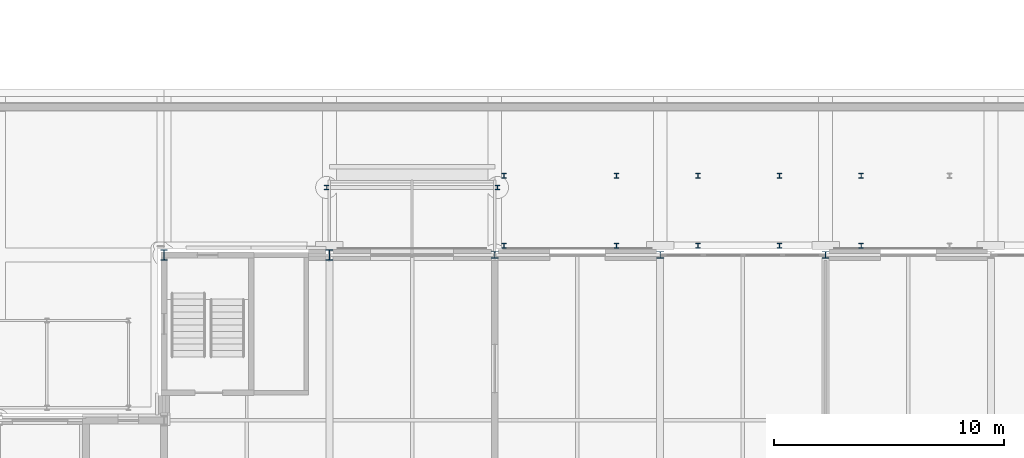
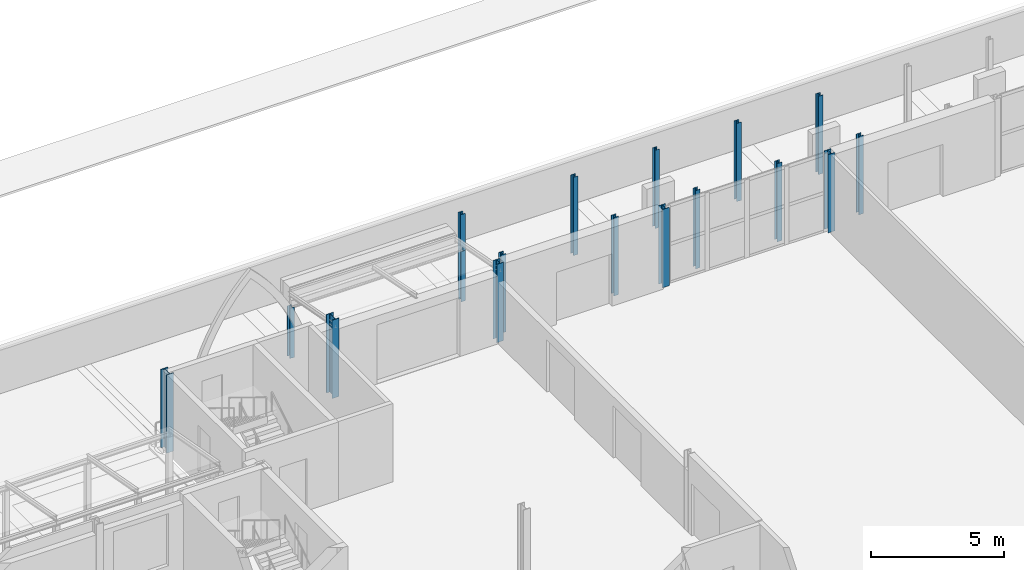
# One storey, part 27 of 143: 17 columns.
"""IFC4 building model written with IfcOpenShell, lengths in metres."""

import ifcopenshell
import ifcopenshell.guid

model = None  # the IFC model being written
_history = None  # IfcOwnerHistory: only IFC2X3 demands one
_inside = {}  # id of a spatial element -> (the spatial element, [elements in it])
_under = {}  # id of a project, library or spatial element -> (it, [spatial elements below it])
_declared = {}  # id of a project -> (the project, [libraries it declares])
_typed = {}  # id of a type object -> (the type object, [elements of that type])
_made_of = {}  # id of a material, layer set ... -> (it, [elements and type objects made of it])


def new_model(schema):
    """Start an empty IFC model of exactly this schema.

    Asked for "IFC4X3", IfcOpenShell would pick the latest addendum, in which some entities
    have other attributes; the version numbers below select the first issue.
    IFC2X3 requires an IfcOwnerHistory on every rooted entity: one is made here for all.
    """
    global model, _history
    if schema == "IFC4X3":
        model = ifcopenshell.file(schema_version=(4, 3, 0, 0))
    else:
        model = ifcopenshell.file(schema=schema)
    _inside.clear()
    _under.clear()
    _declared.clear()
    _typed.clear()
    _made_of.clear()
    _history = None
    if model.schema == "IFC2X3":
        org = make("IfcOrganization", Name="unknown")
        user = make(
            "IfcPersonAndOrganization",
            ThePerson=make("IfcPerson", FamilyName="unknown"),
            TheOrganization=org,
        )
        app = make(
            "IfcApplication",
            ApplicationDeveloper=org,
            Version="unknown",
            ApplicationFullName="unknown",
            ApplicationIdentifier="unknown",
        )
        _history = make(
            "IfcOwnerHistory",
            OwningUser=user,
            OwningApplication=app,
            ChangeAction="ADDED",
            CreationDate=0,
        )
    return model


def make(cls, **values):
    """One entity of the class cls with the attributes given. An attribute that is None is left unset."""
    return model.create_entity(
        cls, **{name: value for name, value in values.items() if value is not None}
    )


def rooted(cls, **values):
    """An entity with a GlobalId (a new one), such as an element, a storey or a relation."""
    return make(cls, GlobalId=ifcopenshell.guid.new(), OwnerHistory=_history, **values)


def si_unit(unit_type, name, prefix=None):
    """IfcSIUnit, for example si_unit("LENGTHUNIT", "METRE", prefix="MILLI")."""
    return make("IfcSIUnit", UnitType=unit_type, Prefix=prefix, Name=name)


def assignment(units):
    """IfcUnitAssignment: the units of a project."""
    return None if units is None else make("IfcUnitAssignment", Units=units)


def point(xyz):
    """IfcCartesianPoint."""
    return None if xyz is None else make("IfcCartesianPoint", Coordinates=xyz)


def direction(xyz):
    """IfcDirection."""
    return None if xyz is None else make("IfcDirection", DirectionRatios=xyz)


def frame(location, z_axis=None, x_axis=None):
    """IfcAxis2Placement3D, a coordinate frame: its origin and axes. An axis left out is left unset."""
    return make(
        "IfcAxis2Placement3D",
        Location=point(location),
        Axis=direction(z_axis),
        RefDirection=direction(x_axis),
    )


def frame_2d(location, x_axis=None):
    """IfcAxis2Placement2D, a coordinate frame in the plane: its origin and x axis."""
    return make(
        "IfcAxis2Placement2D", Location=point(location), RefDirection=direction(x_axis)
    )


def origin():
    """The frame at (0, 0, 0) with its axes left unset."""
    return frame((0.0, 0.0, 0.0))


def origin_2d():
    """The frame at (0, 0) in the plane with its x axis left unset."""
    return frame_2d((0.0, 0.0))


def place(relative_to, where):
    """IfcLocalPlacement: puts the frame where relative to a parent placement (None: the world)."""
    return make(
        "IfcLocalPlacement", PlacementRelTo=relative_to, RelativePlacement=where
    )


def context(
    kind, dimensions, precision=None, world=None, true_north=None, identifier=None
):
    """IfcGeometricRepresentationContext, for example the 3D "Model" context."""
    return make(
        "IfcGeometricRepresentationContext",
        ContextIdentifier=identifier,
        ContextType=kind,
        CoordinateSpaceDimension=dimensions,
        Precision=precision,
        WorldCoordinateSystem=world,
        TrueNorth=true_north,
    )


def subcontext(parent, identifier, kind, view, scale=None):
    """IfcGeometricRepresentationSubContext, for example "Body" below "Model"."""
    return make(
        "IfcGeometricRepresentationSubContext",
        ContextIdentifier=identifier,
        ContextType=kind,
        ParentContext=parent,
        TargetScale=scale,
        TargetView=view,
    )


def project(units=None, contexts=None):
    """IfcProject with its units and contexts."""
    return rooted(
        "IfcProject",
        Name="project",
        RepresentationContexts=contexts,
        UnitsInContext=assignment(units),
    )


def spatial(cls, under=None, at=None, **own):
    """A site, building, storey or space (cls), placed at a placement, below another one or the project."""
    s = rooted(cls, ObjectPlacement=at, **own)
    if under is not None:
        _under.setdefault(under.id(), (under, []))[1].append(s)
    return s


def profile(cls, at=None, kind="AREA", **sizes):
    """A parametric profile (cls). Its sizes go by their IFC names, for example OverallWidth=200.0."""
    return make(cls, ProfileType=kind, Position=at, **sizes)


def i_section(**sizes):
    """IfcIShapeProfileDef."""
    return profile("IfcIShapeProfileDef", **sizes)


def extrude(swept, where, along, depth):
    """IfcExtrudedAreaSolid: the profile swept, set in the frame where, extruded along a direction by depth."""
    return make(
        "IfcExtrudedAreaSolid",
        SweptArea=swept,
        Position=where,
        ExtrudedDirection=direction(along),
        Depth=depth,
    )


def shape(context_of_items, identifier, shape_type, items):
    """IfcShapeRepresentation: the items that make up one representation, for example the "Body"."""
    return make(
        "IfcShapeRepresentation",
        ContextOfItems=context_of_items,
        RepresentationIdentifier=identifier,
        RepresentationType=shape_type,
        Items=items,
    )


def material(Name=None, Category=None):
    """IfcMaterial."""
    return make("IfcMaterial", Name=Name, Category=Category)


def material_profile(
    of_material, cross_section, Name=None, Category=None, Priority=None
):
    """IfcMaterialProfile: a cross section and its material."""
    return make(
        "IfcMaterialProfile",
        Name=Name,
        Material=of_material,
        Profile=cross_section,
        Priority=Priority,
        Category=Category,
    )


def profile_set(profiles, Name=None, composite=None):
    """IfcMaterialProfileSet."""
    return make(
        "IfcMaterialProfileSet",
        Name=Name,
        MaterialProfiles=profiles,
        CompositeProfile=composite,
    )


def made_of(thing, what):
    """Note that an element or type object is made of a material, layer set ...; save() writes the relation."""
    if what is not None:
        _made_of.setdefault(what.id(), (what, []))[1].append(thing)
    return thing


def type_object(cls, material=None, **own):
    """A type object (cls), such as IfcWallType, which elements share."""
    return made_of(rooted(cls, **own), material)


def element(
    cls,
    number,
    at=None,
    inside=None,
    cuts=None,
    type_object=None,
    material=None,
    context=None,
    identifier="Body",
    shape_type=None,
    held_by="IfcProductDefinitionShape",
    body=None,
    shapes=None,
    **own,
):
    """One element of the class cls, such as IfcWall. Its Tag is "e" and its number.

    at: its placement. inside: the storey or other place that contains it. cuts: it is an
    opening in that element (IfcRelVoidsElement). A single representation is given by context,
    identifier, shape_type and body (its items); several are given by shapes. held_by: the class
    of the entity that holds the representations. save() writes the other relations.
    """
    e = rooted(cls, Tag="e%d" % number, ObjectPlacement=at, **own)
    if body is not None:
        shapes = [shape(context, identifier, shape_type, body)]
    if shapes is not None:
        e.Representation = make(held_by, Representations=shapes)
    if inside is not None:
        _inside.setdefault(inside.id(), (inside, []))[1].append(e)
    if cuts is not None:
        rooted(
            "IfcRelVoidsElement", RelatingBuildingElement=cuts, RelatedOpeningElement=e
        )
    if type_object is not None:
        _typed.setdefault(type_object.id(), (type_object, []))[1].append(e)
    return made_of(e, material)


def aggregate(whole, parts):
    """IfcRelAggregates: a whole, such as a stair, and the parts it consists of."""
    return rooted("IfcRelAggregates", RelatingObject=whole, RelatedObjects=parts)


def save(model, path):
    """Write the relations noted so far, then the file.

    IfcRelAggregates (storeys below a building ...), IfcRelContainedInSpatialStructure (elements
    in a storey), IfcRelDefinesByType, IfcRelAssociatesMaterial and IfcRelDeclares: one each for
    every whole, place, type object, material and project.
    """
    for whole, parts in _under.values():
        aggregate(whole, parts)
    for where, things in _inside.values():
        rooted(
            "IfcRelContainedInSpatialStructure",
            RelatedElements=things,
            RelatingStructure=where,
        )
    for kind, things in _typed.values():
        rooted("IfcRelDefinesByType", RelatedObjects=things, RelatingType=kind)
    for what, things in _made_of.values():
        rooted("IfcRelAssociatesMaterial", RelatedObjects=things, RelatingMaterial=what)
    for by, libraries in _declared.values():
        rooted("IfcRelDeclares", RelatingContext=by, RelatedDefinitions=libraries)
    model.write(path)


model = new_model("IFC4")

# Units and contexts
model_context = context("Model", 3, precision=1e-05, world=origin(), true_north=direction((0.0, 1.0)))
body_context = subcontext(model_context, "Body", "Model", "MODEL_VIEW")
ifc_project = project(units=[si_unit("LENGTHUNIT", "METRE"), si_unit("AREAUNIT", "SQUARE_METRE"), si_unit("VOLUMEUNIT", "CUBIC_METRE"), si_unit("PLANEANGLEUNIT", "RADIAN"), si_unit("MASSUNIT", "GRAM", prefix="KILO")], contexts=[model_context])

# Site, building, storey
site_placement = place(None, origin())
site = spatial("IfcSite", under=ifc_project, at=site_placement, CompositionType="ELEMENT")
building_placement = place(site_placement, origin())
building = spatial("IfcBuilding", under=site, at=building_placement, Name="Kupolbacken Congress Centre", CompositionType="ELEMENT")
storey_placement = place(building_placement, frame((0.0, 0.0, 7.199951171875)))
storey = spatial("IfcBuildingStorey", under=building, at=storey_placement, Name="L02", CompositionType="ELEMENT", Elevation=7.199951171875)

# Columns
ifc_material_1 = material(Name="Steel S355", Category="steel")
ifc_material_profile_1 = material_profile(ifc_material_1, i_section(OverallWidth=0.300048828125, OverallDepth=0.449951171875, WebThickness=0.013916015625, FlangeThickness=0.02587890625, FilletRadius=0.027099609375, at=origin_2d()), Name="HEB 450")
ifc_profile_set_1 = profile_set([ifc_material_profile_1], Name="Steel S355")
column_type_1 = type_object("IfcColumnType", Name="C03 column HEB 450", PredefinedType="COLUMN", material=ifc_profile_set_1)
for number, where, z_axis, x_axis, name in (
    (1, (136.800048828125, 151.199951171875, 0.0), (0.0, 0.0, 1.0), (1.0, 0.0, 0.0), "S/col/C-BF-20X/L02"),
    (2, (144.0, 151.199951171875, 0.0), (0.0, 0.0, 1.0), (1.0, 0.0, 0.0), "S/col/C-BF-21X/L02"),
):
    element("IfcColumn", number, at=place(storey_placement, frame(where, z_axis=z_axis, x_axis=x_axis)), inside=storey, type_object=column_type_1, Name=name, PredefinedType="COLUMN", context=body_context, shape_type="SweptSolid", body=[
        extrude(i_section(OverallWidth=0.300048828125, OverallDepth=0.449951171875, WebThickness=0.013916015625, FlangeThickness=0.02587890625, FilletRadius=0.027099609375, at=origin_2d()), origin(), (0.0, 0.0, 1.0), 3.60009765625),
    ])
ifc_material_2 = material(Name="Steel S355", Category="steel")
ifc_material_profile_2 = material_profile(ifc_material_2, i_section(OverallWidth=0.300048828125, OverallDepth=0.300048828125, WebThickness=0.010986328125, FlangeThickness=0.01904296875, FilletRadius=0.027099609375, at=origin_2d()), Name="HEB 300")
ifc_profile_set_2 = profile_set([ifc_material_profile_2], Name="Steel S355")
column_type_2 = type_object("IfcColumnType", Name="C06 column HEB 300", PredefinedType="COLUMN", material=ifc_profile_set_2)
for number, where, z_axis, x_axis, name in (
    (3, (151.199951171875, 151.199951171875, 0.0), (0.0, 0.0, 1.0), (1.0, 0.0, 0.0), "S/col/C-B-B1N/L02"),
    (4, (158.39990234375, 151.199951171875, 0.0), (0.0, 0.0, 1.0), (1.0, 0.0, 0.0), "S/col/C-B-B2N/L02"),
    (5, (165.60009765625, 151.199951171875, 0.0), (0.0, 0.0, 1.0), (1.0, 0.0, 0.0), "S/col/C-B-B3N/L02"),
):
    element("IfcColumn", number, at=place(storey_placement, frame(where, z_axis=z_axis, x_axis=x_axis)), inside=storey, type_object=column_type_2, Name=name, PredefinedType="COLUMN", context=body_context, shape_type="SweptSolid", body=[
        extrude(i_section(OverallWidth=0.300048828125, OverallDepth=0.300048828125, WebThickness=0.010986328125, FlangeThickness=0.01904296875, FilletRadius=0.027099609375, at=origin_2d()), origin(), (0.0, 0.0, 1.0), 3.60009765625),
    ])
ifc_material_3 = material(Name="Steel S355", Category="steel")
ifc_material_profile_3 = material_profile(ifc_material_3, i_section(OverallWidth=0.199951171875, OverallDepth=0.199951171875, WebThickness=0.009033203125, FlangeThickness=0.014892578125, FilletRadius=0.01806640625, at=origin_2d()), Name="HEB 200")
ifc_profile_set_3 = profile_set([ifc_material_profile_3], Name="Steel S355")
column_type_3 = type_object("IfcColumnType", Name="C11 column HEB 200", PredefinedType="COLUMN", material=ifc_profile_set_3)
for number, where, z_axis, x_axis, name in (
    (6, (151.320068359375, 154.139892578125, 0.0), (0.0, 0.0, 1.0), (1.0, 0.0, 0.0), "E/canopy/BN1/col1/L02"),
    (7, (143.8798828125, 154.139892578125, 0.0), (0.0, 0.0, 1.0), (1.0, 0.0, 0.0), "E/canopy/BN1/col2/L02"),
):
    element("IfcColumn", number, at=place(storey_placement, frame(where, z_axis=z_axis, x_axis=x_axis)), inside=storey, type_object=column_type_3, Name=name, PredefinedType="COLUMN", context=body_context, shape_type="SweptSolid", body=[
        extrude(i_section(OverallWidth=0.199951171875, OverallDepth=0.199951171875, WebThickness=0.009033203125, FlangeThickness=0.014892578125, FilletRadius=0.01806640625, at=origin_2d()), origin(), (0.0, 0.0, 1.0), 2.30908203125),
    ])
for number, where, z_axis, x_axis, name in (
    (8, (151.60009765625, 151.60009765625, 0.0), (0.0, 0.0, 1.0), (1.0, 0.0, 0.0), "Covered passage column"),
    (9, (151.60009765625, 154.64990234375, 0.0), (0.0, 0.0, 1.0), (1.0, 0.0, 0.0), "Covered passage column"),
    (10, (156.5, 151.60009765625, 0.0), (0.0, 0.0, 1.0), (1.0, 0.0, 0.0), "Covered passage column"),
    (11, (156.5, 154.64990234375, 0.0), (0.0, 0.0, 1.0), (1.0, 0.0, 0.0), "Covered passage column"),
    (12, (160.050048828125, 151.60009765625, 0.0), (0.0, 0.0, 1.0), (1.0, 0.0, 0.0), "Covered passage column"),
    (13, (160.050048828125, 154.64990234375, 0.0), (0.0, 0.0, 1.0), (1.0, 0.0, 0.0), "Covered passage column"),
    (14, (163.60009765625, 151.60009765625, 0.0), (0.0, 0.0, 1.0), (1.0, 0.0, 0.0), "Covered passage column"),
    (15, (163.60009765625, 154.64990234375, 0.0), (0.0, 0.0, 1.0), (1.0, 0.0, 0.0), "Covered passage column"),
    (16, (167.14990234375, 151.60009765625, 0.0), (0.0, 0.0, 1.0), (1.0, 0.0, 0.0), "Covered passage column"),
    (17, (167.14990234375, 154.64990234375, 0.0), (0.0, 0.0, 1.0), (1.0, 0.0, 0.0), "Covered passage column"),
):
    element("IfcColumn", number, at=place(storey_placement, frame(where, z_axis=z_axis, x_axis=x_axis)), inside=storey, type_object=column_type_3, Name=name, PredefinedType="COLUMN", context=body_context, shape_type="SweptSolid", body=[
        extrude(i_section(OverallWidth=0.199951171875, OverallDepth=0.199951171875, WebThickness=0.009033203125, FlangeThickness=0.014892578125, FilletRadius=0.01806640625, at=origin_2d()), origin(), (0.0, 0.0, 1.0), 3.60009765625),
    ])

save(model, "model.ifc")
